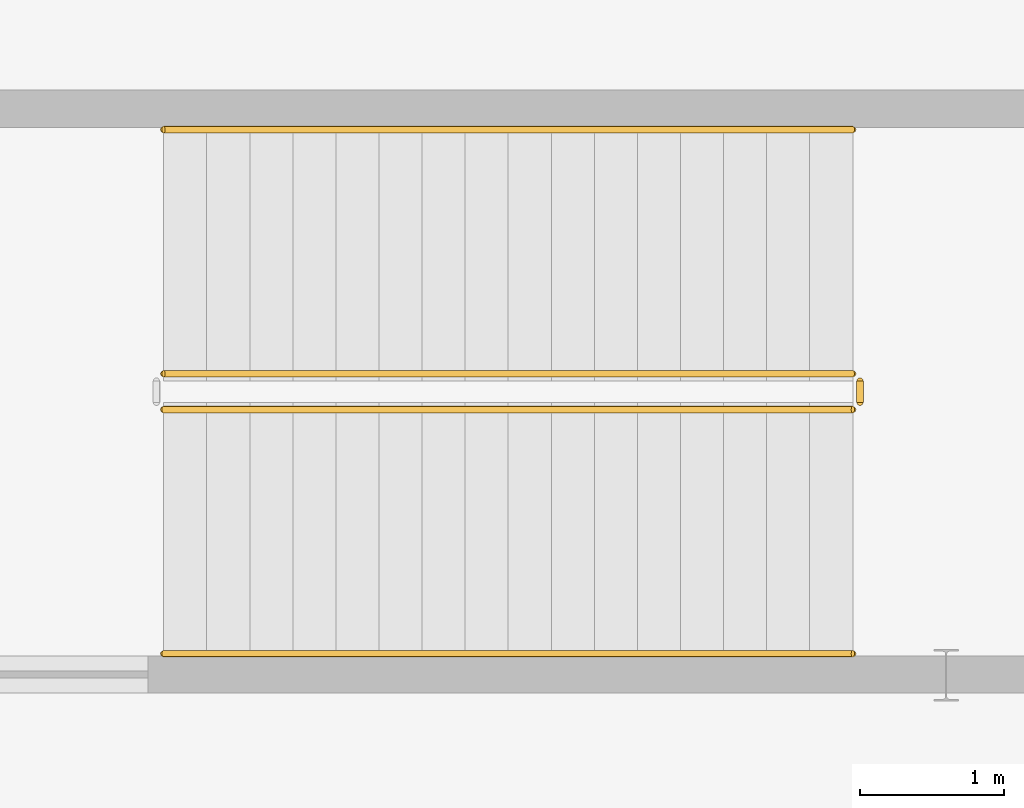
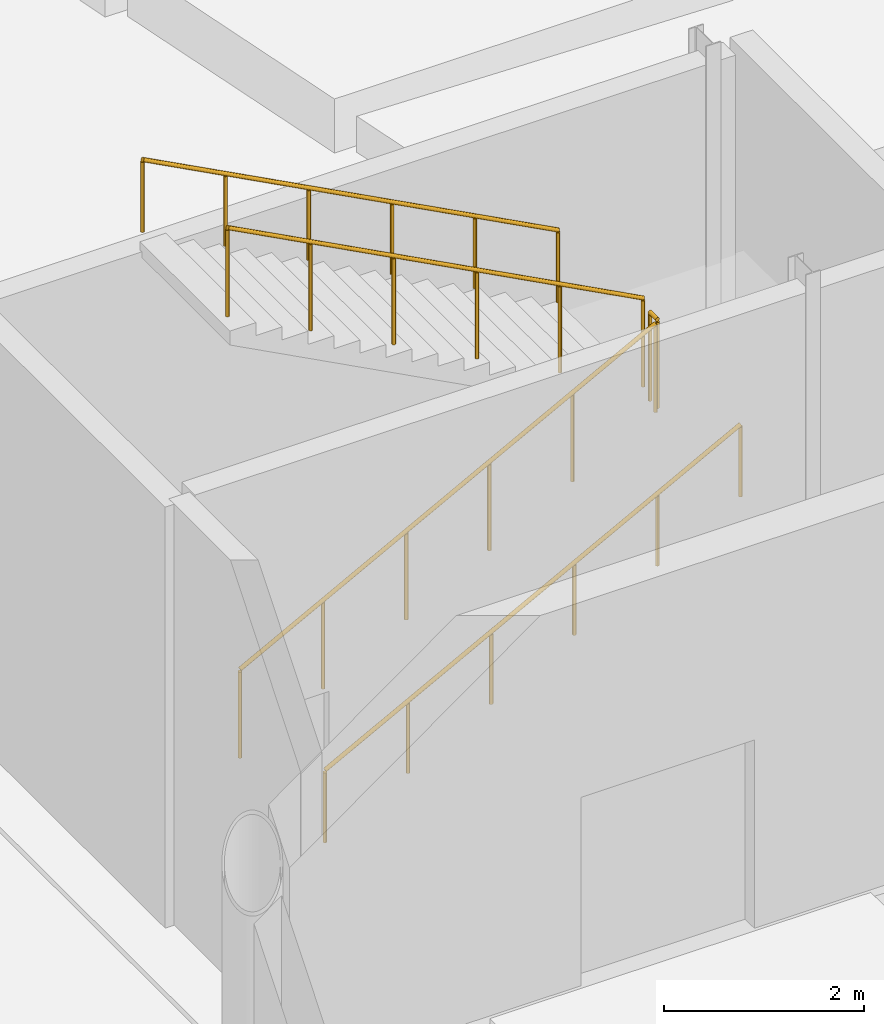
# One storey, part 81 of 84: 5 railings.
"""IFC4 building model written with IfcOpenShell, lengths in metres."""

import ifcopenshell
import ifcopenshell.guid

model = None  # the IFC model being written
_history = None  # IfcOwnerHistory: only IFC2X3 demands one
_inside = {}  # id of a spatial element -> (the spatial element, [elements in it])
_under = {}  # id of a project, library or spatial element -> (it, [spatial elements below it])
_declared = {}  # id of a project -> (the project, [libraries it declares])
_typed = {}  # id of a type object -> (the type object, [elements of that type])
_made_of = {}  # id of a material, layer set ... -> (it, [elements and type objects made of it])


def new_model(schema):
    """Start an empty IFC model of exactly this schema.

    Asked for "IFC4X3", IfcOpenShell would pick the latest addendum, in which some entities
    have other attributes; the version numbers below select the first issue.
    IFC2X3 requires an IfcOwnerHistory on every rooted entity: one is made here for all.
    """
    global model, _history
    if schema == "IFC4X3":
        model = ifcopenshell.file(schema_version=(4, 3, 0, 0))
    else:
        model = ifcopenshell.file(schema=schema)
    _inside.clear()
    _under.clear()
    _declared.clear()
    _typed.clear()
    _made_of.clear()
    _history = None
    if model.schema == "IFC2X3":
        org = make("IfcOrganization", Name="unknown")
        user = make(
            "IfcPersonAndOrganization",
            ThePerson=make("IfcPerson", FamilyName="unknown"),
            TheOrganization=org,
        )
        app = make(
            "IfcApplication",
            ApplicationDeveloper=org,
            Version="unknown",
            ApplicationFullName="unknown",
            ApplicationIdentifier="unknown",
        )
        _history = make(
            "IfcOwnerHistory",
            OwningUser=user,
            OwningApplication=app,
            ChangeAction="ADDED",
            CreationDate=0,
        )
    return model


def make(cls, **values):
    """One entity of the class cls with the attributes given. An attribute that is None is left unset."""
    return model.create_entity(
        cls, **{name: value for name, value in values.items() if value is not None}
    )


def rooted(cls, **values):
    """An entity with a GlobalId (a new one), such as an element, a storey or a relation."""
    return make(cls, GlobalId=ifcopenshell.guid.new(), OwnerHistory=_history, **values)


def si_unit(unit_type, name, prefix=None):
    """IfcSIUnit, for example si_unit("LENGTHUNIT", "METRE", prefix="MILLI")."""
    return make("IfcSIUnit", UnitType=unit_type, Prefix=prefix, Name=name)


def assignment(units):
    """IfcUnitAssignment: the units of a project."""
    return None if units is None else make("IfcUnitAssignment", Units=units)


def point(xyz):
    """IfcCartesianPoint."""
    return None if xyz is None else make("IfcCartesianPoint", Coordinates=xyz)


def direction(xyz):
    """IfcDirection."""
    return None if xyz is None else make("IfcDirection", DirectionRatios=xyz)


def frame(location, z_axis=None, x_axis=None):
    """IfcAxis2Placement3D, a coordinate frame: its origin and axes. An axis left out is left unset."""
    return make(
        "IfcAxis2Placement3D",
        Location=point(location),
        Axis=direction(z_axis),
        RefDirection=direction(x_axis),
    )


def frame_2d(location, x_axis=None):
    """IfcAxis2Placement2D, a coordinate frame in the plane: its origin and x axis."""
    return make(
        "IfcAxis2Placement2D", Location=point(location), RefDirection=direction(x_axis)
    )


def origin():
    """The frame at (0, 0, 0) with its axes left unset."""
    return frame((0.0, 0.0, 0.0))


def origin_2d():
    """The frame at (0, 0) in the plane with its x axis left unset."""
    return frame_2d((0.0, 0.0))


def place(relative_to, where):
    """IfcLocalPlacement: puts the frame where relative to a parent placement (None: the world)."""
    return make(
        "IfcLocalPlacement", PlacementRelTo=relative_to, RelativePlacement=where
    )


def context(
    kind, dimensions, precision=None, world=None, true_north=None, identifier=None
):
    """IfcGeometricRepresentationContext, for example the 3D "Model" context."""
    return make(
        "IfcGeometricRepresentationContext",
        ContextIdentifier=identifier,
        ContextType=kind,
        CoordinateSpaceDimension=dimensions,
        Precision=precision,
        WorldCoordinateSystem=world,
        TrueNorth=true_north,
    )


def subcontext(parent, identifier, kind, view, scale=None):
    """IfcGeometricRepresentationSubContext, for example "Body" below "Model"."""
    return make(
        "IfcGeometricRepresentationSubContext",
        ContextIdentifier=identifier,
        ContextType=kind,
        ParentContext=parent,
        TargetScale=scale,
        TargetView=view,
    )


def project(units=None, contexts=None):
    """IfcProject with its units and contexts."""
    return rooted(
        "IfcProject",
        Name="project",
        RepresentationContexts=contexts,
        UnitsInContext=assignment(units),
    )


def spatial(cls, under=None, at=None, **own):
    """A site, building, storey or space (cls), placed at a placement, below another one or the project."""
    s = rooted(cls, ObjectPlacement=at, **own)
    if under is not None:
        _under.setdefault(under.id(), (under, []))[1].append(s)
    return s


def profile(cls, at=None, kind="AREA", **sizes):
    """A parametric profile (cls). Its sizes go by their IFC names, for example OverallWidth=200.0."""
    return make(cls, ProfileType=kind, Position=at, **sizes)


def circle(**sizes):
    """IfcCircleProfileDef."""
    return profile("IfcCircleProfileDef", **sizes)


def extrude(swept, where, along, depth):
    """IfcExtrudedAreaSolid: the profile swept, set in the frame where, extruded along a direction by depth."""
    return make(
        "IfcExtrudedAreaSolid",
        SweptArea=swept,
        Position=where,
        ExtrudedDirection=direction(along),
        Depth=depth,
    )


def shape(context_of_items, identifier, shape_type, items):
    """IfcShapeRepresentation: the items that make up one representation, for example the "Body"."""
    return make(
        "IfcShapeRepresentation",
        ContextOfItems=context_of_items,
        RepresentationIdentifier=identifier,
        RepresentationType=shape_type,
        Items=items,
    )


def material(Name=None, Category=None):
    """IfcMaterial."""
    return make("IfcMaterial", Name=Name, Category=Category)


def made_of(thing, what):
    """Note that an element or type object is made of a material, layer set ...; save() writes the relation."""
    if what is not None:
        _made_of.setdefault(what.id(), (what, []))[1].append(thing)
    return thing


def type_object(cls, material=None, **own):
    """A type object (cls), such as IfcWallType, which elements share."""
    return made_of(rooted(cls, **own), material)


def element(
    cls,
    number,
    at=None,
    inside=None,
    cuts=None,
    type_object=None,
    material=None,
    context=None,
    identifier="Body",
    shape_type=None,
    held_by="IfcProductDefinitionShape",
    body=None,
    shapes=None,
    **own,
):
    """One element of the class cls, such as IfcWall. Its Tag is "e" and its number.

    at: its placement. inside: the storey or other place that contains it. cuts: it is an
    opening in that element (IfcRelVoidsElement). A single representation is given by context,
    identifier, shape_type and body (its items); several are given by shapes. held_by: the class
    of the entity that holds the representations. save() writes the other relations.
    """
    e = rooted(cls, Tag="e%d" % number, ObjectPlacement=at, **own)
    if body is not None:
        shapes = [shape(context, identifier, shape_type, body)]
    if shapes is not None:
        e.Representation = make(held_by, Representations=shapes)
    if inside is not None:
        _inside.setdefault(inside.id(), (inside, []))[1].append(e)
    if cuts is not None:
        rooted(
            "IfcRelVoidsElement", RelatingBuildingElement=cuts, RelatedOpeningElement=e
        )
    if type_object is not None:
        _typed.setdefault(type_object.id(), (type_object, []))[1].append(e)
    return made_of(e, material)


def aggregate(whole, parts):
    """IfcRelAggregates: a whole, such as a stair, and the parts it consists of."""
    return rooted("IfcRelAggregates", RelatingObject=whole, RelatedObjects=parts)


def save(model, path):
    """Write the relations noted so far, then the file.

    IfcRelAggregates (storeys below a building ...), IfcRelContainedInSpatialStructure (elements
    in a storey), IfcRelDefinesByType, IfcRelAssociatesMaterial and IfcRelDeclares: one each for
    every whole, place, type object, material and project.
    """
    for whole, parts in _under.values():
        aggregate(whole, parts)
    for where, things in _inside.values():
        rooted(
            "IfcRelContainedInSpatialStructure",
            RelatedElements=things,
            RelatingStructure=where,
        )
    for kind, things in _typed.values():
        rooted("IfcRelDefinesByType", RelatedObjects=things, RelatingType=kind)
    for what, things in _made_of.values():
        rooted("IfcRelAssociatesMaterial", RelatedObjects=things, RelatingMaterial=what)
    for by, libraries in _declared.values():
        rooted("IfcRelDeclares", RelatingContext=by, RelatedDefinitions=libraries)
    model.write(path)


model = new_model("IFC4")

# Units and contexts
model_context = context("Model", 3, precision=1e-05, world=origin(), true_north=direction((0.0, 1.0)))
body_context = subcontext(model_context, "Body", "Model", "MODEL_VIEW")
ifc_project = project(units=[si_unit("LENGTHUNIT", "METRE"), si_unit("AREAUNIT", "SQUARE_METRE"), si_unit("VOLUMEUNIT", "CUBIC_METRE"), si_unit("PLANEANGLEUNIT", "RADIAN"), si_unit("MASSUNIT", "GRAM", prefix="KILO")], contexts=[model_context])

# Site, building, storey
site_placement = place(None, origin())
site = spatial("IfcSite", under=ifc_project, at=site_placement, CompositionType="ELEMENT")
building_placement = place(site_placement, origin())
building = spatial("IfcBuilding", under=site, at=building_placement, Name="Zevrakil Square Congress Hotel", CompositionType="ELEMENT")
storey_placement = place(building_placement, origin())
storey = spatial("IfcBuildingStorey", under=building, at=storey_placement, Name="L01", CompositionType="ELEMENT", Elevation=0.0)

# Railings
ifc_material_1 = material(Name="Steel S355", Category="steel")
railing_type_1 = type_object("IfcRailingType", Name="RLG-STAIR-GUARD-1100", PredefinedType="BALUSTRADE", material=ifc_material_1)
railing_1_placement = place(storey_placement, frame((120.199951171875, 69.550048828125, 0.158935546875)))
element("IfcRailing", 1, at=railing_1_placement, inside=storey, type_object=railing_type_1, Name="L01 ST08 stair guard 1", PredefinedType="BALUSTRADE", context=body_context, shape_type="SweptSolid", body=[
    extrude(circle(Radius=0.02392578125, at=origin_2d()), frame((0.0, 0.0, 1.076171875), z_axis=(0.883802130504, 0.0, 0.467860870469), x_axis=(0.0, 1.0, 0.0)), (0.0, 0.0, 1.0), 5.43115234375),
    extrude(circle(Radius=0.02099609375, at=origin_2d()), origin(), (0.0, 0.0, 1.0), 1.052001953125),
    extrude(circle(Radius=0.02099609375, at=origin_2d()), frame((0.9599609375, 0.0, 0.50830078125)), (0.0, 0.0, 1.0), 1.052001953125),
    extrude(circle(Radius=0.02099609375, at=origin_2d()), frame((1.919921875, 0.0, 1.016357421875)), (0.0, 0.0, 1.0), 1.052001953125),
    extrude(circle(Radius=0.02099609375, at=origin_2d()), frame((2.880126953125, 0.0, 1.524658203125)), (0.0, 0.0, 1.0), 1.052001953125),
    extrude(circle(Radius=0.02099609375, at=origin_2d()), frame((3.840087890625, 0.0, 2.03271484375)), (0.0, 0.0, 1.0), 1.052001953125),
    extrude(circle(Radius=0.02099609375, at=origin_2d()), frame((4.800048828125, 0.0, 2.541015625)), (0.0, 0.0, 1.0), 1.052001953125),
])
railing_2_placement = place(storey_placement, frame((125.050048828125, 69.60009765625, 2.699951171875)))
element("IfcRailing", 2, at=railing_2_placement, inside=storey, type_object=railing_type_1, Name="L01 ST08 stair guard 2", PredefinedType="BALUSTRADE", context=body_context, shape_type="SweptSolid", body=[
    extrude(circle(Radius=0.02392578125, at=origin_2d()), frame((0.0, 0.0, 1.076171875), z_axis=(0.0, 1.0, 0.0), x_axis=(-1.0, 0.0, 0.0)), (0.0, 0.0, 1.0), 0.14990234375),
    extrude(circle(Radius=0.02099609375, at=origin_2d()), origin(), (0.0, 0.0, 1.0), 1.052001953125),
    extrude(circle(Radius=0.02099609375, at=origin_2d()), frame((0.0, 0.14990234375, 0.0)), (0.0, 0.0, 1.0), 1.052001953125),
])
railing_3_placement = place(storey_placement, frame((125.0, 69.800048828125, 2.85888671875)))
element("IfcRailing", 3, at=railing_3_placement, inside=storey, type_object=railing_type_1, Name="L01 ST08 stair guard 3", PredefinedType="BALUSTRADE", context=body_context, shape_type="SweptSolid", body=[
    extrude(circle(Radius=0.02392578125, at=origin_2d()), frame((0.0, 0.0, 1.076171875), z_axis=(-0.883802130504, 0.0, 0.467860870469), x_axis=(0.0, -1.0, 0.0)), (0.0, 0.0, 1.0), 5.43115234375),
    extrude(circle(Radius=0.02099609375, at=origin_2d()), origin(), (0.0, 0.0, 1.0), 1.052001953125),
    extrude(circle(Radius=0.02099609375, at=origin_2d()), frame((-0.9599609375, 0.0, 0.50830078125)), (0.0, 0.0, 1.0), 1.052001953125),
    extrude(circle(Radius=0.02099609375, at=origin_2d()), frame((-1.919921875, 0.0, 1.016357421875)), (0.0, 0.0, 1.0), 1.052001953125),
    extrude(circle(Radius=0.02099609375, at=origin_2d()), frame((-2.880126953125, 0.0, 1.524658203125)), (0.0, 0.0, 1.0), 1.052001953125),
    extrude(circle(Radius=0.02099609375, at=origin_2d()), frame((-3.840087890625, 0.0, 2.03271484375)), (0.0, 0.0, 1.0), 1.052001953125),
    extrude(circle(Radius=0.02099609375, at=origin_2d()), frame((-4.800048828125, 0.0, 2.541015625)), (0.0, 0.0, 1.0), 1.052001953125),
])
ifc_material_2 = material(Name="Steel S355", Category="steel")
railing_type_2 = type_object("IfcRailingType", Name="RLG-STAIR-HAND-900", PredefinedType="HANDRAIL", material=ifc_material_2)
railing_4_placement = place(storey_placement, frame((120.199951171875, 67.85009765625, 0.158935546875)))
element("IfcRailing", 4, at=railing_4_placement, inside=storey, type_object=railing_type_2, Name="L01 ST08 stair handrail 1", PredefinedType="HANDRAIL", context=body_context, shape_type="SweptSolid", body=[
    extrude(circle(Radius=0.02392578125, at=origin_2d()), frame((0.0, 0.0, 0.8759765625), z_axis=(0.883802130504, 0.0, 0.467860870469), x_axis=(0.0, 1.0, 0.0)), (0.0, 0.0, 1.0), 5.43115234375),
    extrude(circle(Radius=0.02099609375, at=origin_2d()), origin(), (0.0, 0.0, 1.0), 0.851806640625),
    extrude(circle(Radius=0.02099609375, at=origin_2d()), frame((0.9599609375, 0.0, 0.50830078125)), (0.0, 0.0, 1.0), 0.851806640625),
    extrude(circle(Radius=0.02099609375, at=origin_2d()), frame((1.919921875, 0.0, 1.016357421875)), (0.0, 0.0, 1.0), 0.851806640625),
    extrude(circle(Radius=0.02099609375, at=origin_2d()), frame((2.880126953125, 0.0, 1.524658203125)), (0.0, 0.0, 1.0), 0.851806640625),
    extrude(circle(Radius=0.02099609375, at=origin_2d()), frame((3.840087890625, 0.0, 2.03271484375)), (0.0, 0.0, 1.0), 0.851806640625),
    extrude(circle(Radius=0.02099609375, at=origin_2d()), frame((4.800048828125, 0.0, 2.541015625)), (0.0, 0.0, 1.0), 0.851806640625),
])
railing_5_placement = place(storey_placement, frame((125.0, 71.5, 2.85888671875)))
element("IfcRailing", 5, at=railing_5_placement, inside=storey, type_object=railing_type_2, Name="L01 ST08 stair handrail 2", PredefinedType="HANDRAIL", context=body_context, shape_type="SweptSolid", body=[
    extrude(circle(Radius=0.02392578125, at=origin_2d()), frame((0.0, 0.0, 0.8759765625), z_axis=(-0.883802130504, 0.0, 0.467860870469), x_axis=(0.0, -1.0, 0.0)), (0.0, 0.0, 1.0), 5.43115234375),
    extrude(circle(Radius=0.02099609375, at=origin_2d()), origin(), (0.0, 0.0, 1.0), 0.851806640625),
    extrude(circle(Radius=0.02099609375, at=origin_2d()), frame((-0.9599609375, 0.0, 0.50830078125)), (0.0, 0.0, 1.0), 0.851806640625),
    extrude(circle(Radius=0.02099609375, at=origin_2d()), frame((-1.919921875, 0.0, 1.016357421875)), (0.0, 0.0, 1.0), 0.851806640625),
    extrude(circle(Radius=0.02099609375, at=origin_2d()), frame((-2.880126953125, 0.0, 1.524658203125)), (0.0, 0.0, 1.0), 0.851806640625),
    extrude(circle(Radius=0.02099609375, at=origin_2d()), frame((-3.840087890625, 0.0, 2.03271484375)), (0.0, 0.0, 1.0), 0.851806640625),
    extrude(circle(Radius=0.02099609375, at=origin_2d()), frame((-4.800048828125, 0.0, 2.541015625)), (0.0, 0.0, 1.0), 0.851806640625),
])

save(model, "model.ifc")
